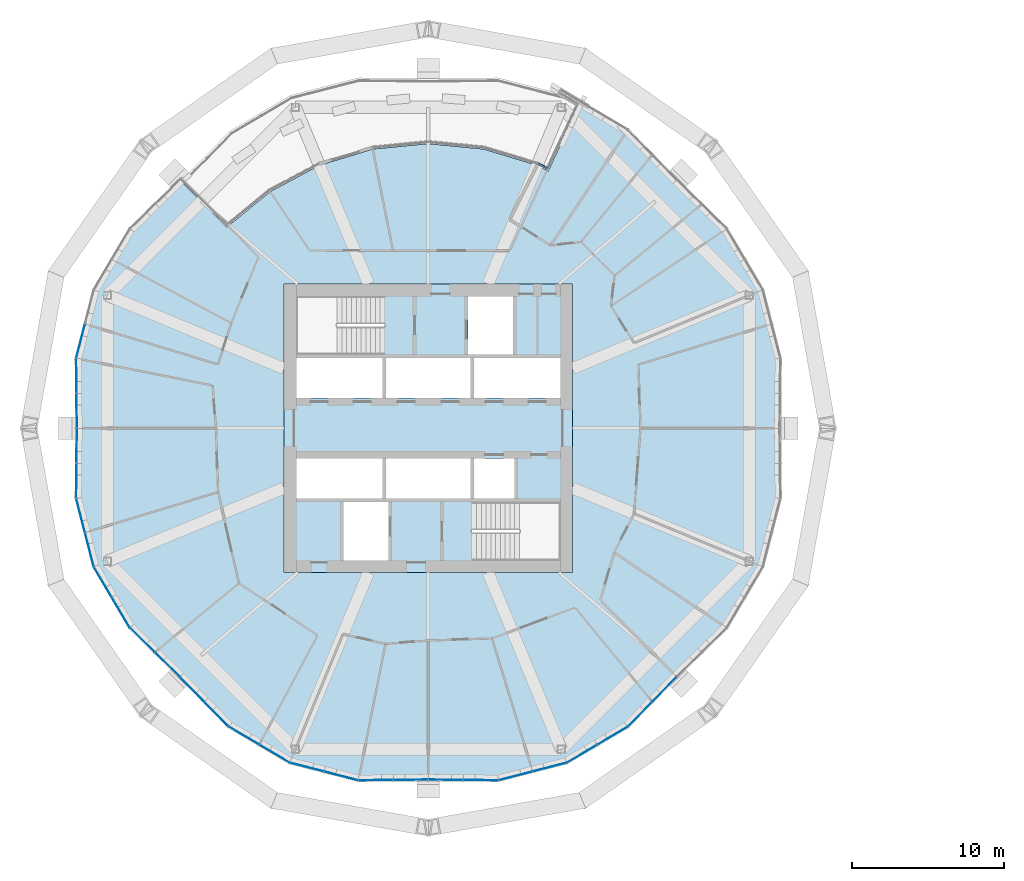
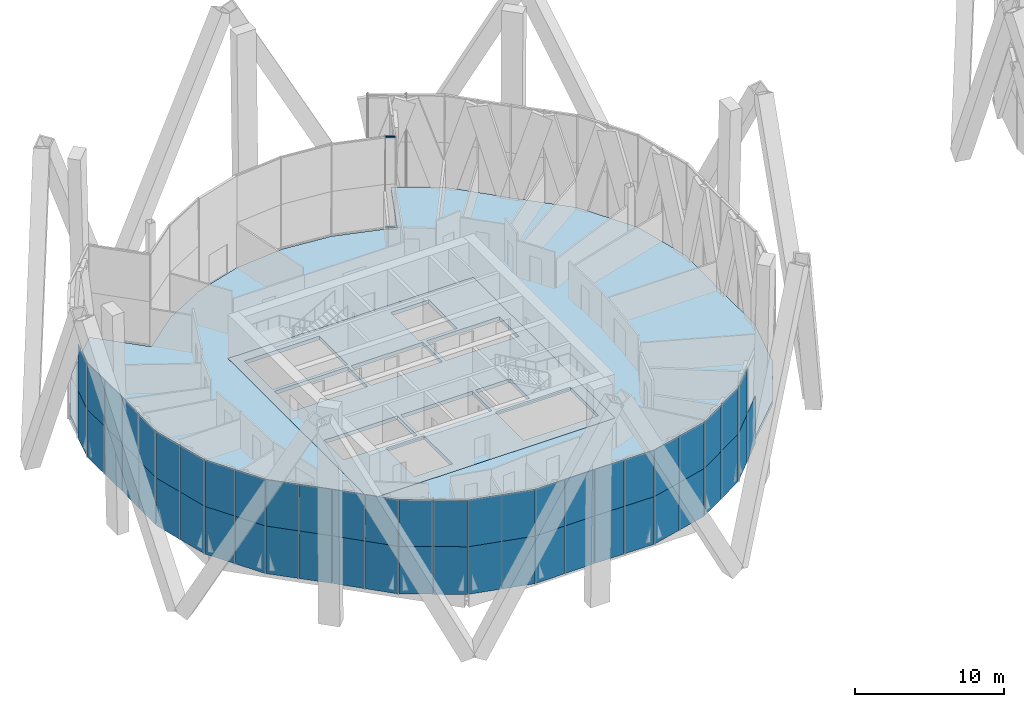
# One storey, part 17 of 31: 53 plates, 2 members, 2 slabs, 5 elements without a shape of their own.
"""IFC4 building model written with IfcOpenShell, lengths in metres."""

from ifc_helpers import new_model, si_unit, direction, frame, origin, origin_2d, place, context, subcontext, project, spatial, polyline, rectangle, outline, extrude, material, layer, layer_set, material_profile, profile_set, type_object, element, aggregate, save


model = new_model("IFC4")

# Units and contexts
model_context = context("Model", 3, precision=1e-05, world=origin(), true_north=direction((0.0, 1.0)))
body_context = subcontext(model_context, "Body", "Model", "MODEL_VIEW")
ifc_project = project(units=[si_unit("LENGTHUNIT", "METRE"), si_unit("AREAUNIT", "SQUARE_METRE"), si_unit("VOLUMEUNIT", "CUBIC_METRE"), si_unit("PLANEANGLEUNIT", "RADIAN"), si_unit("MASSUNIT", "GRAM", prefix="KILO")], contexts=[model_context])

# Site, building, storey
site_placement = place(None, origin())
site = spatial("IfcSite", under=ifc_project, at=site_placement, CompositionType="ELEMENT")
building_placement = place(site_placement, origin())
building = spatial("IfcBuilding", under=site, at=building_placement, Name="Ogive Gate Towers", CompositionType="ELEMENT")
storey_placement = place(building_placement, frame((0.0, 0.0, 55.800048828125)))
storey = spatial("IfcBuildingStorey", under=building, at=storey_placement, Name="L12", CompositionType="ELEMENT", Elevation=55.800048828125)

# Curtain wall, members
ifc_material_1 = material(Name="Pale metal aluminium", Category="aluminium")
curtain_wall_type_1 = type_object("IfcCurtainWallType", Name="Sky garden glazing", PredefinedType="NOTDEFINED", material=ifc_material_1)
curtain_wall_1_placement = place(storey_placement, origin())
curtain_wall_1 = element("IfcCurtainWall", 1, at=curtain_wall_1_placement, inside=storey, type_object=curtain_wall_type_1, Name="CW4 T1 ECW01", PredefinedType="NOTDEFINED")
ifc_material_profile = material_profile(ifc_material_1, rectangle(XDim=0.1201171875, YDim=0.10009765625, at=origin_2d()), Name="100 x 120 aluminium box")
ifc_profile_set = profile_set([ifc_material_profile], Name="Pale metal aluminium")
member_type = type_object("IfcMemberType", Name="Sky garden glazing transom 100 x 120", PredefinedType="USERDEFINED", material=ifc_profile_set)
member_1_placement = place(storey_placement, frame((-28.741455078125, 17.4482421875, 7.449951171875), z_axis=(0.881921280151, -0.471396707262, 0.0), x_axis=(0.471396707262, 0.881921280151, 0.0)))
member_1 = element("IfcMember", 2, at=member_1_placement, type_object=member_type, Name="CW4 transom", ObjectType="TRANSOM", PredefinedType="USERDEFINED", context=body_context, shape_type="SweptSolid", body=[
    extrude(rectangle(XDim=0.1201171875, YDim=0.10009765625, at=origin_2d()), origin(), (0.0, 0.0, 1.0), 0.673828125),
])
member_2_placement = place(storey_placement, frame((-28.741455078125, 17.4482421875, 0.050048828125), z_axis=(0.881921280151, -0.471396707262, 0.0), x_axis=(0.471396707262, 0.881921280151, 0.0)))
member_2 = element("IfcMember", 3, at=member_2_placement, type_object=member_type, Name="CW4 transom", ObjectType="TRANSOM", PredefinedType="USERDEFINED", context=body_context, shape_type="SweptSolid", body=[
    extrude(rectangle(XDim=0.1201171875, YDim=0.10009765625, at=origin_2d()), origin(), (0.0, 0.0, 1.0), 0.673828125),
])
aggregate(curtain_wall_1, [member_1, member_2])

# Slabs
ifc_material_2 = material(Name="Concrete C40/50", Category="concrete")
ifc_layer_1 = layer(ifc_material_2, 0.300048828125)
ifc_layer_set_1 = layer_set([ifc_layer_1], Name="Core slab C40/50 300 mm")
slab_type_1 = type_object("IfcSlabType", Name="Core slab C40/50 300 mm", PredefinedType="FLOOR", material=ifc_layer_set_1)
slab_1_placement = place(storey_placement, frame((0.0, 0.0, -0.300048828125)))
element("IfcSlab", 4, at=slab_1_placement, inside=storey, type_object=slab_type_1, Name="T1 L12 core slab", PredefinedType="FLOOR", context=body_context, shape_type="SweptSolid", body=[
    extrude(outline(polyline([(-26.5, 9.5), (-26.5, -9.5), (-45.5, -9.5), (-45.5, 9.5), (-26.5, 9.5)]), holes=[polyline([(-39.02490234375, 4.625), (-44.699951171875, 4.625), (-44.699951171875, 2.0), (-39.02490234375, 2.0), (-39.02490234375, 4.625)]), polyline([(-33.22509765625, 2.0), (-33.22509765625, 4.625), (-38.77490234375, 4.625), (-38.77490234375, 2.0), (-33.22509765625, 2.0)]), polyline([(-32.97509765625, 2.0), (-27.300048828125, 2.0), (-27.300048828125, 4.625), (-32.97509765625, 4.625), (-32.97509765625, 2.0)]), polyline([(-44.699951171875, -2.0), (-44.699951171875, -4.625), (-39.02490234375, -4.625), (-39.02490234375, -2.0), (-44.699951171875, -2.0)]), polyline([(-33.22509765625, -2.0), (-38.77490234375, -2.0), (-38.77490234375, -4.625), (-33.22509765625, -4.625), (-33.22509765625, -2.0)]), polyline([(-30.324951171875, -4.625), (-30.324951171875, -2.0), (-32.97509765625, -2.0), (-32.97509765625, -4.625), (-30.324951171875, -4.625)]), polyline([(-33.375, 4.875), (-30.425048828125, 4.875), (-30.425048828125, 8.699951171875), (-33.375, 8.699951171875), (-33.375, 4.875)]), polyline([(-41.574951171875, -4.875), (-41.574951171875, -8.699951171875), (-38.625, -8.699951171875), (-38.625, -4.875), (-41.574951171875, -4.875)]), polyline([(-44.699951171875, 4.875), (-38.885009765625, 4.875), (-38.885009765625, 8.699951171875), (-44.699951171875, 8.699951171875), (-44.699951171875, 4.875)]), polyline([(-27.300048828125, -8.699951171875), (-27.300048828125, -4.875), (-33.114990234375, -4.875), (-33.114990234375, -8.699951171875), (-27.300048828125, -8.699951171875)])]), origin(), (0.0, 0.0, 1.0), 0.300048828125),
])
ifc_material_3 = material(Name="Concrete C35/45", Category="concrete")
ifc_layer_2 = layer(ifc_material_3, 0.300048828125)
ifc_layer_set_2 = layer_set([ifc_layer_2], Name="Floor slab 300")
slab_type_2 = type_object("IfcSlabType", Name="Floor slab 300", PredefinedType="FLOOR", material=ifc_layer_set_2)
slab_2_placement = place(storey_placement, frame((0.0, 0.0, -0.300048828125)))
element("IfcSlab", 5, at=slab_2_placement, inside=storey, type_object=slab_type_2, Name="T1/L12/SSL001", PredefinedType="FLOOR", context=body_context, shape_type="SweptSolid", body=[
    extrude(outline(polyline([(-19.694091796875, 16.305908203125), (-22.91064453125, 19.58935546875), (-26.907470703125, 21.951416015625), (-26.010986328125, 21.421630859375), (-28.09814453125, 16.945556640625), (-28.82080078125, 17.33203125), (-32.340087890625, 18.3994140625), (-36.0, 18.760009765625), (-39.659912109375, 18.3994140625), (-43.17919921875, 17.33203125), (-46.422607421875, 15.598388671875), (-49.265380859375, 13.265380859375), (-52.305908203125, 16.305908203125), (-55.58935546875, 13.08935546875), (-57.951416015625, 9.092529296875), (-59.107421875, 4.596435546875), (-59.06005859375, 0.0), (-59.107421875, -4.596435546875), (-57.951416015625, -9.092529296875), (-55.58935546875, -13.08935546875), (-52.305908203125, -16.305908203125), (-49.08935546875, -19.58935546875), (-45.092529296875, -21.951416015625), (-40.596435546875, -23.107421875), (-36.0, -23.06005859375), (-31.403564453125, -23.107421875), (-26.907470703125, -21.951416015625), (-22.91064453125, -19.58935546875), (-19.694091796875, -16.305908203125), (-16.41064453125, -13.08935546875), (-14.048583984375, -9.092529296875), (-12.892578125, -4.596435546875), (-12.93994140625, 0.0), (-12.892578125, 4.596435546875), (-14.048583984375, 9.092529296875), (-16.41064453125, 13.08935546875), (-19.694091796875, 16.305908203125)]), holes=[polyline([(-26.5, -9.5), (-45.5, -9.5), (-45.5, 9.5), (-26.5, 9.5), (-26.5, -9.5)])]), origin(), (0.0, 0.0, 1.0), 0.300048828125),
])

# Curtain wall, plates
curtain_wall_type_2 = type_object("IfcCurtainWallType", Name="Tower unitised wall, low zone", PredefinedType="NOTDEFINED", material=ifc_material_1)
curtain_wall_2_placement = place(storey_placement, origin())
curtain_wall_2 = element("IfcCurtainWall", 6, at=curtain_wall_2_placement, inside=storey, type_object=curtain_wall_type_2, Name="CW1 T1 ECW05", PredefinedType="NOTDEFINED")
ifc_material_4 = material(Name="Clear glass", Category="glass")
ifc_layer_3 = layer(ifc_material_4, 0.028076171875)
ifc_layer_set_3 = layer_set([ifc_layer_3], Name="Tower unitised wall, low zone glass panel")
plate_type = type_object("IfcPlateType", Name="Tower unitised wall, low zone glass panel", PredefinedType="CURTAIN_PANEL", material=ifc_layer_set_3)
plate_1_placement = place(storey_placement, frame((-59.171875, 1.152099609375, -0.300048828125), z_axis=(0.0, 0.0, 1.0), x_axis=(-0.010279808233, 0.999947161375, 0.0)))
plate_1 = element("IfcPlate", 7, at=plate_1_placement, type_object=plate_type, Name="CW1 glass panel", PredefinedType="CURTAIN_PANEL", context=body_context, shape_type="SweptSolid", body=[
    extrude(rectangle(XDim=2.250244140625, YDim=0.028076171875, at=origin_2d()), origin(), (0.0, 0.0, 1.0), 3.89990234375),
])
plate_2_placement = place(storey_placement, frame((-59.171875, 1.152099609375, 3.60009765625), z_axis=(0.0, 0.0, 1.0), x_axis=(-0.010279808233, 0.999947161375, 0.0)))
plate_2 = element("IfcPlate", 8, at=plate_2_placement, type_object=plate_type, Name="CW1 glass panel", PredefinedType="CURTAIN_PANEL", context=body_context, shape_type="SweptSolid", body=[
    extrude(rectangle(XDim=2.250244140625, YDim=0.028076171875, at=origin_2d()), origin(), (0.0, 0.0, 1.0), 3.803955078125),
])
plate_3_placement = place(storey_placement, frame((-59.195556640625, 3.454345703125, -0.300048828125), z_axis=(0.0, 0.0, 1.0), x_axis=(-0.010279808233, 0.999947161375, 0.0)))
plate_3 = element("IfcPlate", 9, at=plate_3_placement, type_object=plate_type, Name="CW1 glass panel", PredefinedType="CURTAIN_PANEL", context=body_context, shape_type="SweptSolid", body=[
    extrude(rectangle(XDim=2.24658203125, YDim=0.028076171875, at=origin_2d()), origin(), (0.0, 0.0, 1.0), 3.89990234375),
])
plate_4_placement = place(storey_placement, frame((-59.195556640625, 3.454345703125, 3.60009765625), z_axis=(0.0, 0.0, 1.0), x_axis=(-0.010279808233, 0.999947161375, 0.0)))
plate_4 = element("IfcPlate", 10, at=plate_4_placement, type_object=plate_type, Name="CW1 glass panel", PredefinedType="CURTAIN_PANEL", context=body_context, shape_type="SweptSolid", body=[
    extrude(rectangle(XDim=2.24658203125, YDim=0.028076171875, at=origin_2d()), origin(), (0.0, 0.0, 1.0), 3.803955078125),
])
plate_5_placement = place(storey_placement, frame((-58.916259765625, 5.740966796875, -0.300048828125), z_axis=(0.0, 0.0, 1.0), x_axis=(0.248977260623, 0.96850933072, 0.0)))
plate_5 = element("IfcPlate", 11, at=plate_5_placement, type_object=plate_type, Name="CW1 glass panel", PredefinedType="CURTAIN_PANEL", context=body_context, shape_type="SweptSolid", body=[
    extrude(rectangle(XDim=2.277099609375, YDim=0.028076171875, at=origin_2d()), origin(), (0.0, 0.0, 1.0), 3.89990234375),
])
plate_6_placement = place(storey_placement, frame((-58.916259765625, 5.740966796875, 3.60009765625), z_axis=(0.0, 0.0, 1.0), x_axis=(0.248977260623, 0.96850933072, 0.0)))
plate_6 = element("IfcPlate", 12, at=plate_6_placement, type_object=plate_type, Name="CW1 glass panel", PredefinedType="CURTAIN_PANEL", context=body_context, shape_type="SweptSolid", body=[
    extrude(rectangle(XDim=2.277099609375, YDim=0.028076171875, at=origin_2d()), origin(), (0.0, 0.0, 1.0), 3.803955078125),
])
aggregate(curtain_wall_2, [plate_1, plate_2, plate_3, plate_4, plate_5, plate_6])

curtain_wall_3_placement = place(storey_placement, origin())
curtain_wall_3 = element("IfcCurtainWall", 13, at=curtain_wall_3_placement, inside=storey, type_object=curtain_wall_type_2, Name="CW1 T1 ECW06", PredefinedType="NOTDEFINED")
plate_7_placement = place(storey_placement, frame((-53.19970703125, -15.5703125, -0.300048828125), z_axis=(0.0, 0.0, 1.0), x_axis=(-0.714338340748, 0.699800496526, 0.0)))
plate_7 = element("IfcPlate", 14, at=plate_7_placement, type_object=plate_type, Name="CW1 glass panel", PredefinedType="CURTAIN_PANEL", context=body_context, shape_type="SweptSolid", body=[
    extrude(rectangle(XDim=2.25048828125, YDim=0.028076171875, at=origin_2d()), origin(), (0.0, 0.0, 1.0), 3.89990234375),
])
plate_8_placement = place(storey_placement, frame((-53.19970703125, -15.5703125, 3.60009765625), z_axis=(0.0, 0.0, 1.0), x_axis=(-0.714338340748, 0.699800496526, 0.0)))
plate_8 = element("IfcPlate", 15, at=plate_8_placement, type_object=plate_type, Name="CW1 glass panel", PredefinedType="CURTAIN_PANEL", context=body_context, shape_type="SweptSolid", body=[
    extrude(rectangle(XDim=2.25048828125, YDim=0.028076171875, at=origin_2d()), origin(), (0.0, 0.0, 1.0), 3.803955078125),
])
plate_9_placement = place(storey_placement, frame((-54.844482421875, -13.958984375, -0.300048828125), z_axis=(0.0, 0.0, 1.0), x_axis=(-0.714362767958, 0.699775560987, 0.0)))
plate_9 = element("IfcPlate", 16, at=plate_9_placement, type_object=plate_type, Name="CW1 glass panel", PredefinedType="CURTAIN_PANEL", context=body_context, shape_type="SweptSolid", body=[
    extrude(rectangle(XDim=2.24658203125, YDim=0.028076171875, at=origin_2d()), origin(), (0.0, 0.0, 1.0), 3.89990234375),
])
plate_10_placement = place(storey_placement, frame((-54.844482421875, -13.958984375, 3.60009765625), z_axis=(0.0, 0.0, 1.0), x_axis=(-0.714362767958, 0.699775560987, 0.0)))
plate_10 = element("IfcPlate", 17, at=plate_10_placement, type_object=plate_type, Name="CW1 glass panel", PredefinedType="CURTAIN_PANEL", context=body_context, shape_type="SweptSolid", body=[
    extrude(rectangle(XDim=2.24658203125, YDim=0.028076171875, at=origin_2d()), origin(), (0.0, 0.0, 1.0), 3.803955078125),
])
plate_11_placement = place(storey_placement, frame((-56.263916015625, -12.144775390625, -0.300048828125), z_axis=(0.0, 0.0, 1.0), x_axis=(-0.508770980552, 0.860901904603, 0.0)))
plate_11 = element("IfcPlate", 18, at=plate_11_placement, type_object=plate_type, Name="CW1 glass panel", PredefinedType="CURTAIN_PANEL", context=body_context, shape_type="SweptSolid", body=[
    extrude(rectangle(XDim=2.277099609375, YDim=0.028076171875, at=origin_2d()), origin(), (0.0, 0.0, 1.0), 3.89990234375),
])
plate_12_placement = place(storey_placement, frame((-56.263916015625, -12.144775390625, 3.60009765625), z_axis=(0.0, 0.0, 1.0), x_axis=(-0.508770980552, 0.860901904603, 0.0)))
plate_12 = element("IfcPlate", 19, at=plate_12_placement, type_object=plate_type, Name="CW1 glass panel", PredefinedType="CURTAIN_PANEL", context=body_context, shape_type="SweptSolid", body=[
    extrude(rectangle(XDim=2.277099609375, YDim=0.028076171875, at=origin_2d()), origin(), (0.0, 0.0, 1.0), 3.803955078125),
])
plate_13_placement = place(storey_placement, frame((-57.44970703125, -10.137939453125, -0.300048828125), z_axis=(0.0, 0.0, 1.0), x_axis=(-0.508770980552, 0.860901904603, 0.0)))
plate_13 = element("IfcPlate", 20, at=plate_13_placement, type_object=plate_type, Name="CW1 glass panel", PredefinedType="CURTAIN_PANEL", context=body_context, shape_type="SweptSolid", body=[
    extrude(rectangle(XDim=2.27685546875, YDim=0.028076171875, at=origin_2d()), origin(), (0.0, 0.0, 1.0), 3.89990234375),
])
plate_14_placement = place(storey_placement, frame((-57.44970703125, -10.137939453125, 3.60009765625), z_axis=(0.0, 0.0, 1.0), x_axis=(-0.508770980552, 0.860901904603, 0.0)))
plate_14 = element("IfcPlate", 21, at=plate_14_placement, type_object=plate_type, Name="CW1 glass panel", PredefinedType="CURTAIN_PANEL", context=body_context, shape_type="SweptSolid", body=[
    extrude(rectangle(XDim=2.27685546875, YDim=0.028076171875, at=origin_2d()), origin(), (0.0, 0.0, 1.0), 3.803955078125),
])
plate_15_placement = place(storey_placement, frame((-58.3359375, -7.99853515625, -0.300048828125), z_axis=(0.0, 0.0, 1.0), x_axis=(-0.248994164262, 0.9685049851, 0.0)))
plate_15 = element("IfcPlate", 22, at=plate_15_placement, type_object=plate_type, Name="CW1 glass panel", PredefinedType="CURTAIN_PANEL", context=body_context, shape_type="SweptSolid", body=[
    extrude(rectangle(XDim=2.277099609375, YDim=0.028076171875, at=origin_2d()), origin(), (0.0, 0.0, 1.0), 3.89990234375),
])
plate_16_placement = place(storey_placement, frame((-58.3359375, -7.99853515625, 3.60009765625), z_axis=(0.0, 0.0, 1.0), x_axis=(-0.248994164262, 0.9685049851, 0.0)))
plate_16 = element("IfcPlate", 23, at=plate_16_placement, type_object=plate_type, Name="CW1 glass panel", PredefinedType="CURTAIN_PANEL", context=body_context, shape_type="SweptSolid", body=[
    extrude(rectangle(XDim=2.277099609375, YDim=0.028076171875, at=origin_2d()), origin(), (0.0, 0.0, 1.0), 3.803955078125),
])
plate_17_placement = place(storey_placement, frame((-58.916259765625, -5.740966796875, -0.300048828125), z_axis=(0.0, 0.0, 1.0), x_axis=(-0.248977260623, 0.96850933072, 0.0)))
plate_17 = element("IfcPlate", 24, at=plate_17_placement, type_object=plate_type, Name="CW1 glass panel", PredefinedType="CURTAIN_PANEL", context=body_context, shape_type="SweptSolid", body=[
    extrude(rectangle(XDim=2.277099609375, YDim=0.028076171875, at=origin_2d()), origin(), (0.0, 0.0, 1.0), 3.89990234375),
])
plate_18_placement = place(storey_placement, frame((-58.916259765625, -5.740966796875, 3.60009765625), z_axis=(0.0, 0.0, 1.0), x_axis=(-0.248977260623, 0.96850933072, 0.0)))
plate_18 = element("IfcPlate", 25, at=plate_18_placement, type_object=plate_type, Name="CW1 glass panel", PredefinedType="CURTAIN_PANEL", context=body_context, shape_type="SweptSolid", body=[
    extrude(rectangle(XDim=2.277099609375, YDim=0.028076171875, at=origin_2d()), origin(), (0.0, 0.0, 1.0), 3.803955078125),
])
plate_19_placement = place(storey_placement, frame((-59.195556640625, -3.454345703125, -0.300048828125), z_axis=(0.0, 0.0, 1.0), x_axis=(0.010279808233, 0.999947161375, 0.0)))
plate_19 = element("IfcPlate", 26, at=plate_19_placement, type_object=plate_type, Name="CW1 glass panel", PredefinedType="CURTAIN_PANEL", context=body_context, shape_type="SweptSolid", body=[
    extrude(rectangle(XDim=2.24658203125, YDim=0.028076171875, at=origin_2d()), origin(), (0.0, 0.0, 1.0), 3.89990234375),
])
plate_20_placement = place(storey_placement, frame((-59.195556640625, -3.454345703125, 3.60009765625), z_axis=(0.0, 0.0, 1.0), x_axis=(0.010279808233, 0.999947161375, 0.0)))
plate_20 = element("IfcPlate", 27, at=plate_20_placement, type_object=plate_type, Name="CW1 glass panel", PredefinedType="CURTAIN_PANEL", context=body_context, shape_type="SweptSolid", body=[
    extrude(rectangle(XDim=2.24658203125, YDim=0.028076171875, at=origin_2d()), origin(), (0.0, 0.0, 1.0), 3.803955078125),
])
plate_21_placement = place(storey_placement, frame((-59.171875, -1.152099609375, -0.300048828125), z_axis=(0.0, 0.0, 1.0), x_axis=(0.010279808233, 0.999947161375, 0.0)))
plate_21 = element("IfcPlate", 28, at=plate_21_placement, type_object=plate_type, Name="CW1 glass panel", PredefinedType="CURTAIN_PANEL", context=body_context, shape_type="SweptSolid", body=[
    extrude(rectangle(XDim=2.250244140625, YDim=0.028076171875, at=origin_2d()), origin(), (0.0, 0.0, 1.0), 3.89990234375),
])
plate_22_placement = place(storey_placement, frame((-59.171875, -1.152099609375, 3.60009765625), z_axis=(0.0, 0.0, 1.0), x_axis=(0.010279808233, 0.999947161375, 0.0)))
plate_22 = element("IfcPlate", 29, at=plate_22_placement, type_object=plate_type, Name="CW1 glass panel", PredefinedType="CURTAIN_PANEL", context=body_context, shape_type="SweptSolid", body=[
    extrude(rectangle(XDim=2.250244140625, YDim=0.028076171875, at=origin_2d()), origin(), (0.0, 0.0, 1.0), 3.803955078125),
])
aggregate(curtain_wall_3, [plate_7, plate_8, plate_9, plate_10, plate_11, plate_12, plate_13, plate_14, plate_15, plate_16, plate_17, plate_18, plate_19, plate_20, plate_21, plate_22])

curtain_wall_4_placement = place(storey_placement, origin())
curtain_wall_4 = element("IfcCurtainWall", 30, at=curtain_wall_4_placement, inside=storey, type_object=curtain_wall_type_2, Name="CW1 T1 ECW07", PredefinedType="NOTDEFINED")
plate_23_placement = place(storey_placement, frame((-37.152099609375, -23.171875, -0.300048828125), z_axis=(0.0, 0.0, 1.0), x_axis=(-0.999947161375, -0.010279808233, 0.0)))
plate_23 = element("IfcPlate", 31, at=plate_23_placement, type_object=plate_type, Name="CW1 glass panel", PredefinedType="CURTAIN_PANEL", context=body_context, shape_type="SweptSolid", body=[
    extrude(rectangle(XDim=2.250244140625, YDim=0.028076171875, at=origin_2d()), origin(), (0.0, 0.0, 1.0), 3.89990234375),
])
plate_24_placement = place(storey_placement, frame((-37.152099609375, -23.171875, 3.60009765625), z_axis=(0.0, 0.0, 1.0), x_axis=(-0.999947161375, -0.010279808233, 0.0)))
plate_24 = element("IfcPlate", 32, at=plate_24_placement, type_object=plate_type, Name="CW1 glass panel", PredefinedType="CURTAIN_PANEL", context=body_context, shape_type="SweptSolid", body=[
    extrude(rectangle(XDim=2.250244140625, YDim=0.028076171875, at=origin_2d()), origin(), (0.0, 0.0, 1.0), 3.803955078125),
])
plate_25_placement = place(storey_placement, frame((-39.454345703125, -23.195556640625, -0.300048828125), z_axis=(0.0, 0.0, 1.0), x_axis=(-0.999947161375, -0.010279808233, 0.0)))
plate_25 = element("IfcPlate", 33, at=plate_25_placement, type_object=plate_type, Name="CW1 glass panel", PredefinedType="CURTAIN_PANEL", context=body_context, shape_type="SweptSolid", body=[
    extrude(rectangle(XDim=2.24658203125, YDim=0.028076171875, at=origin_2d()), origin(), (0.0, 0.0, 1.0), 3.89990234375),
])
plate_26_placement = place(storey_placement, frame((-39.454345703125, -23.195556640625, 3.60009765625), z_axis=(0.0, 0.0, 1.0), x_axis=(-0.999947161375, -0.010279808233, 0.0)))
plate_26 = element("IfcPlate", 34, at=plate_26_placement, type_object=plate_type, Name="CW1 glass panel", PredefinedType="CURTAIN_PANEL", context=body_context, shape_type="SweptSolid", body=[
    extrude(rectangle(XDim=2.24658203125, YDim=0.028076171875, at=origin_2d()), origin(), (0.0, 0.0, 1.0), 3.803955078125),
])
plate_27_placement = place(storey_placement, frame((-41.740966796875, -22.916259765625, -0.300048828125), z_axis=(0.0, 0.0, 1.0), x_axis=(-0.96850933072, 0.248977260623, 0.0)))
plate_27 = element("IfcPlate", 35, at=plate_27_placement, type_object=plate_type, Name="CW1 glass panel", PredefinedType="CURTAIN_PANEL", context=body_context, shape_type="SweptSolid", body=[
    extrude(rectangle(XDim=2.277099609375, YDim=0.028076171875, at=origin_2d()), origin(), (0.0, 0.0, 1.0), 3.89990234375),
])
plate_28_placement = place(storey_placement, frame((-41.740966796875, -22.916259765625, 3.60009765625), z_axis=(0.0, 0.0, 1.0), x_axis=(-0.96850933072, 0.248977260623, 0.0)))
plate_28 = element("IfcPlate", 36, at=plate_28_placement, type_object=plate_type, Name="CW1 glass panel", PredefinedType="CURTAIN_PANEL", context=body_context, shape_type="SweptSolid", body=[
    extrude(rectangle(XDim=2.277099609375, YDim=0.028076171875, at=origin_2d()), origin(), (0.0, 0.0, 1.0), 3.803955078125),
])
plate_29_placement = place(storey_placement, frame((-43.99853515625, -22.3359375, -0.300048828125), z_axis=(0.0, 0.0, 1.0), x_axis=(-0.9685049851, 0.248994164262, 0.0)))
plate_29 = element("IfcPlate", 37, at=plate_29_placement, type_object=plate_type, Name="CW1 glass panel", PredefinedType="CURTAIN_PANEL", context=body_context, shape_type="SweptSolid", body=[
    extrude(rectangle(XDim=2.277099609375, YDim=0.028076171875, at=origin_2d()), origin(), (0.0, 0.0, 1.0), 3.89990234375),
])
plate_30_placement = place(storey_placement, frame((-43.99853515625, -22.3359375, 3.60009765625), z_axis=(0.0, 0.0, 1.0), x_axis=(-0.9685049851, 0.248994164262, 0.0)))
plate_30 = element("IfcPlate", 38, at=plate_30_placement, type_object=plate_type, Name="CW1 glass panel", PredefinedType="CURTAIN_PANEL", context=body_context, shape_type="SweptSolid", body=[
    extrude(rectangle(XDim=2.277099609375, YDim=0.028076171875, at=origin_2d()), origin(), (0.0, 0.0, 1.0), 3.803955078125),
])
plate_31_placement = place(storey_placement, frame((-46.137939453125, -21.44970703125, -0.300048828125), z_axis=(0.0, 0.0, 1.0), x_axis=(-0.860901904603, 0.508770980552, 0.0)))
plate_31 = element("IfcPlate", 39, at=plate_31_placement, type_object=plate_type, Name="CW1 glass panel", PredefinedType="CURTAIN_PANEL", context=body_context, shape_type="SweptSolid", body=[
    extrude(rectangle(XDim=2.27685546875, YDim=0.028076171875, at=origin_2d()), origin(), (0.0, 0.0, 1.0), 3.89990234375),
])
plate_32_placement = place(storey_placement, frame((-46.137939453125, -21.44970703125, 3.60009765625), z_axis=(0.0, 0.0, 1.0), x_axis=(-0.860901904603, 0.508770980552, 0.0)))
plate_32 = element("IfcPlate", 40, at=plate_32_placement, type_object=plate_type, Name="CW1 glass panel", PredefinedType="CURTAIN_PANEL", context=body_context, shape_type="SweptSolid", body=[
    extrude(rectangle(XDim=2.27685546875, YDim=0.028076171875, at=origin_2d()), origin(), (0.0, 0.0, 1.0), 3.803955078125),
])
plate_33_placement = place(storey_placement, frame((-48.144775390625, -20.263916015625, -0.300048828125), z_axis=(0.0, 0.0, 1.0), x_axis=(-0.860901904603, 0.508770980552, 0.0)))
plate_33 = element("IfcPlate", 41, at=plate_33_placement, type_object=plate_type, Name="CW1 glass panel", PredefinedType="CURTAIN_PANEL", context=body_context, shape_type="SweptSolid", body=[
    extrude(rectangle(XDim=2.277099609375, YDim=0.028076171875, at=origin_2d()), origin(), (0.0, 0.0, 1.0), 3.89990234375),
])
plate_34_placement = place(storey_placement, frame((-48.144775390625, -20.263916015625, 3.60009765625), z_axis=(0.0, 0.0, 1.0), x_axis=(-0.860901904603, 0.508770980552, 0.0)))
plate_34 = element("IfcPlate", 42, at=plate_34_placement, type_object=plate_type, Name="CW1 glass panel", PredefinedType="CURTAIN_PANEL", context=body_context, shape_type="SweptSolid", body=[
    extrude(rectangle(XDim=2.277099609375, YDim=0.028076171875, at=origin_2d()), origin(), (0.0, 0.0, 1.0), 3.803955078125),
])
plate_35_placement = place(storey_placement, frame((-49.958984375, -18.844482421875, -0.300048828125), z_axis=(0.0, 0.0, 1.0), x_axis=(-0.699775560987, 0.714362767958, 0.0)))
plate_35 = element("IfcPlate", 43, at=plate_35_placement, type_object=plate_type, Name="CW1 glass panel", PredefinedType="CURTAIN_PANEL", context=body_context, shape_type="SweptSolid", body=[
    extrude(rectangle(XDim=2.24658203125, YDim=0.028076171875, at=origin_2d()), origin(), (0.0, 0.0, 1.0), 3.89990234375),
])
plate_36_placement = place(storey_placement, frame((-49.958984375, -18.844482421875, 3.60009765625), z_axis=(0.0, 0.0, 1.0), x_axis=(-0.699775560987, 0.714362767958, 0.0)))
plate_36 = element("IfcPlate", 44, at=plate_36_placement, type_object=plate_type, Name="CW1 glass panel", PredefinedType="CURTAIN_PANEL", context=body_context, shape_type="SweptSolid", body=[
    extrude(rectangle(XDim=2.24658203125, YDim=0.028076171875, at=origin_2d()), origin(), (0.0, 0.0, 1.0), 3.803955078125),
])
plate_37_placement = place(storey_placement, frame((-51.5703125, -17.19970703125, -0.300048828125), z_axis=(0.0, 0.0, 1.0), x_axis=(-0.699800496526, 0.714338340748, 0.0)))
plate_37 = element("IfcPlate", 45, at=plate_37_placement, type_object=plate_type, Name="CW1 glass panel", PredefinedType="CURTAIN_PANEL", context=body_context, shape_type="SweptSolid", body=[
    extrude(rectangle(XDim=2.25048828125, YDim=0.028076171875, at=origin_2d()), origin(), (0.0, 0.0, 1.0), 3.89990234375),
])
plate_38_placement = place(storey_placement, frame((-51.5703125, -17.19970703125, 3.60009765625), z_axis=(0.0, 0.0, 1.0), x_axis=(-0.699800496526, 0.714338340748, 0.0)))
plate_38 = element("IfcPlate", 46, at=plate_38_placement, type_object=plate_type, Name="CW1 glass panel", PredefinedType="CURTAIN_PANEL", context=body_context, shape_type="SweptSolid", body=[
    extrude(rectangle(XDim=2.25048828125, YDim=0.028076171875, at=origin_2d()), origin(), (0.0, 0.0, 1.0), 3.803955078125),
])
aggregate(curtain_wall_4, [plate_23, plate_24, plate_25, plate_26, plate_27, plate_28, plate_29, plate_30, plate_31, plate_32, plate_33, plate_34, plate_35, plate_36, plate_37, plate_38])

curtain_wall_5_placement = place(storey_placement, origin())
curtain_wall_5 = element("IfcCurtainWall", 47, at=curtain_wall_5_placement, inside=storey, type_object=curtain_wall_type_2, Name="CW1 T1 ECW08", PredefinedType="NOTDEFINED")
plate_39_placement = place(storey_placement, frame((-20.4296875, -17.19970703125, -0.300048828125), z_axis=(0.0, 0.0, 1.0), x_axis=(-0.699800496526, -0.714338340748, 0.0)))
plate_39 = element("IfcPlate", 48, at=plate_39_placement, type_object=plate_type, Name="CW1 glass panel", PredefinedType="CURTAIN_PANEL", context=body_context, shape_type="SweptSolid", body=[
    extrude(rectangle(XDim=2.25048828125, YDim=0.028076171875, at=origin_2d()), origin(), (0.0, 0.0, 1.0), 3.89990234375),
])
plate_40_placement = place(storey_placement, frame((-22.041015625, -18.844482421875, -0.300048828125), z_axis=(0.0, 0.0, 1.0), x_axis=(-0.699775560987, -0.714362767958, 0.0)))
plate_40 = element("IfcPlate", 49, at=plate_40_placement, type_object=plate_type, Name="CW1 glass panel", PredefinedType="CURTAIN_PANEL", context=body_context, shape_type="SweptSolid", body=[
    extrude(rectangle(XDim=2.24658203125, YDim=0.028076171875, at=origin_2d()), origin(), (0.0, 0.0, 1.0), 3.89990234375),
])
plate_41_placement = place(storey_placement, frame((-22.041015625, -18.844482421875, 3.60009765625), z_axis=(0.0, 0.0, 1.0), x_axis=(-0.699775560987, -0.714362767958, 0.0)))
plate_41 = element("IfcPlate", 50, at=plate_41_placement, type_object=plate_type, Name="CW1 glass panel", PredefinedType="CURTAIN_PANEL", context=body_context, shape_type="SweptSolid", body=[
    extrude(rectangle(XDim=2.24658203125, YDim=0.028076171875, at=origin_2d()), origin(), (0.0, 0.0, 1.0), 3.803955078125),
])
plate_42_placement = place(storey_placement, frame((-23.855224609375, -20.263916015625, -0.300048828125), z_axis=(0.0, 0.0, 1.0), x_axis=(-0.860901904603, -0.508770980552, 0.0)))
plate_42 = element("IfcPlate", 51, at=plate_42_placement, type_object=plate_type, Name="CW1 glass panel", PredefinedType="CURTAIN_PANEL", context=body_context, shape_type="SweptSolid", body=[
    extrude(rectangle(XDim=2.277099609375, YDim=0.028076171875, at=origin_2d()), origin(), (0.0, 0.0, 1.0), 3.89990234375),
])
plate_43_placement = place(storey_placement, frame((-23.855224609375, -20.263916015625, 3.60009765625), z_axis=(0.0, 0.0, 1.0), x_axis=(-0.860901904603, -0.508770980552, 0.0)))
plate_43 = element("IfcPlate", 52, at=plate_43_placement, type_object=plate_type, Name="CW1 glass panel", PredefinedType="CURTAIN_PANEL", context=body_context, shape_type="SweptSolid", body=[
    extrude(rectangle(XDim=2.277099609375, YDim=0.028076171875, at=origin_2d()), origin(), (0.0, 0.0, 1.0), 3.803955078125),
])
plate_44_placement = place(storey_placement, frame((-25.862060546875, -21.44970703125, -0.300048828125), z_axis=(0.0, 0.0, 1.0), x_axis=(-0.860901904603, -0.508770980552, 0.0)))
plate_44 = element("IfcPlate", 53, at=plate_44_placement, type_object=plate_type, Name="CW1 glass panel", PredefinedType="CURTAIN_PANEL", context=body_context, shape_type="SweptSolid", body=[
    extrude(rectangle(XDim=2.27685546875, YDim=0.028076171875, at=origin_2d()), origin(), (0.0, 0.0, 1.0), 3.89990234375),
])
plate_45_placement = place(storey_placement, frame((-25.862060546875, -21.44970703125, 3.60009765625), z_axis=(0.0, 0.0, 1.0), x_axis=(-0.860901904603, -0.508770980552, 0.0)))
plate_45 = element("IfcPlate", 54, at=plate_45_placement, type_object=plate_type, Name="CW1 glass panel", PredefinedType="CURTAIN_PANEL", context=body_context, shape_type="SweptSolid", body=[
    extrude(rectangle(XDim=2.27685546875, YDim=0.028076171875, at=origin_2d()), origin(), (0.0, 0.0, 1.0), 3.803955078125),
])
plate_46_placement = place(storey_placement, frame((-28.00146484375, -22.3359375, -0.300048828125), z_axis=(0.0, 0.0, 1.0), x_axis=(-0.9685049851, -0.248994164262, 0.0)))
plate_46 = element("IfcPlate", 55, at=plate_46_placement, type_object=plate_type, Name="CW1 glass panel", PredefinedType="CURTAIN_PANEL", context=body_context, shape_type="SweptSolid", body=[
    extrude(rectangle(XDim=2.277099609375, YDim=0.028076171875, at=origin_2d()), origin(), (0.0, 0.0, 1.0), 3.89990234375),
])
plate_47_placement = place(storey_placement, frame((-28.00146484375, -22.3359375, 3.60009765625), z_axis=(0.0, 0.0, 1.0), x_axis=(-0.9685049851, -0.248994164262, 0.0)))
plate_47 = element("IfcPlate", 56, at=plate_47_placement, type_object=plate_type, Name="CW1 glass panel", PredefinedType="CURTAIN_PANEL", context=body_context, shape_type="SweptSolid", body=[
    extrude(rectangle(XDim=2.277099609375, YDim=0.028076171875, at=origin_2d()), origin(), (0.0, 0.0, 1.0), 3.803955078125),
])
plate_48_placement = place(storey_placement, frame((-30.259033203125, -22.916259765625, -0.300048828125), z_axis=(0.0, 0.0, 1.0), x_axis=(-0.96850933072, -0.248977260623, 0.0)))
plate_48 = element("IfcPlate", 57, at=plate_48_placement, type_object=plate_type, Name="CW1 glass panel", PredefinedType="CURTAIN_PANEL", context=body_context, shape_type="SweptSolid", body=[
    extrude(rectangle(XDim=2.277099609375, YDim=0.028076171875, at=origin_2d()), origin(), (0.0, 0.0, 1.0), 3.89990234375),
])
plate_49_placement = place(storey_placement, frame((-30.259033203125, -22.916259765625, 3.60009765625), z_axis=(0.0, 0.0, 1.0), x_axis=(-0.96850933072, -0.248977260623, 0.0)))
plate_49 = element("IfcPlate", 58, at=plate_49_placement, type_object=plate_type, Name="CW1 glass panel", PredefinedType="CURTAIN_PANEL", context=body_context, shape_type="SweptSolid", body=[
    extrude(rectangle(XDim=2.277099609375, YDim=0.028076171875, at=origin_2d()), origin(), (0.0, 0.0, 1.0), 3.803955078125),
])
plate_50_placement = place(storey_placement, frame((-32.545654296875, -23.195556640625, -0.300048828125), z_axis=(0.0, 0.0, 1.0), x_axis=(-0.999947161375, 0.010279808233, 0.0)))
plate_50 = element("IfcPlate", 59, at=plate_50_placement, type_object=plate_type, Name="CW1 glass panel", PredefinedType="CURTAIN_PANEL", context=body_context, shape_type="SweptSolid", body=[
    extrude(rectangle(XDim=2.24658203125, YDim=0.028076171875, at=origin_2d()), origin(), (0.0, 0.0, 1.0), 3.89990234375),
])
plate_51_placement = place(storey_placement, frame((-32.545654296875, -23.195556640625, 3.60009765625), z_axis=(0.0, 0.0, 1.0), x_axis=(-0.999947161375, 0.010279808233, 0.0)))
plate_51 = element("IfcPlate", 60, at=plate_51_placement, type_object=plate_type, Name="CW1 glass panel", PredefinedType="CURTAIN_PANEL", context=body_context, shape_type="SweptSolid", body=[
    extrude(rectangle(XDim=2.24658203125, YDim=0.028076171875, at=origin_2d()), origin(), (0.0, 0.0, 1.0), 3.803955078125),
])
plate_52_placement = place(storey_placement, frame((-34.847900390625, -23.171875, -0.300048828125), z_axis=(0.0, 0.0, 1.0), x_axis=(-0.999947161375, 0.010279808233, 0.0)))
plate_52 = element("IfcPlate", 61, at=plate_52_placement, type_object=plate_type, Name="CW1 glass panel", PredefinedType="CURTAIN_PANEL", context=body_context, shape_type="SweptSolid", body=[
    extrude(rectangle(XDim=2.250244140625, YDim=0.028076171875, at=origin_2d()), origin(), (0.0, 0.0, 1.0), 3.89990234375),
])
plate_53_placement = place(storey_placement, frame((-34.847900390625, -23.171875, 3.60009765625), z_axis=(0.0, 0.0, 1.0), x_axis=(-0.999947161375, 0.010279808233, 0.0)))
plate_53 = element("IfcPlate", 62, at=plate_53_placement, type_object=plate_type, Name="CW1 glass panel", PredefinedType="CURTAIN_PANEL", context=body_context, shape_type="SweptSolid", body=[
    extrude(rectangle(XDim=2.250244140625, YDim=0.028076171875, at=origin_2d()), origin(), (0.0, 0.0, 1.0), 3.803955078125),
])
aggregate(curtain_wall_5, [plate_39, plate_40, plate_41, plate_42, plate_43, plate_44, plate_45, plate_46, plate_47, plate_48, plate_49, plate_50, plate_51, plate_52, plate_53])

save(model, "model.ifc")
